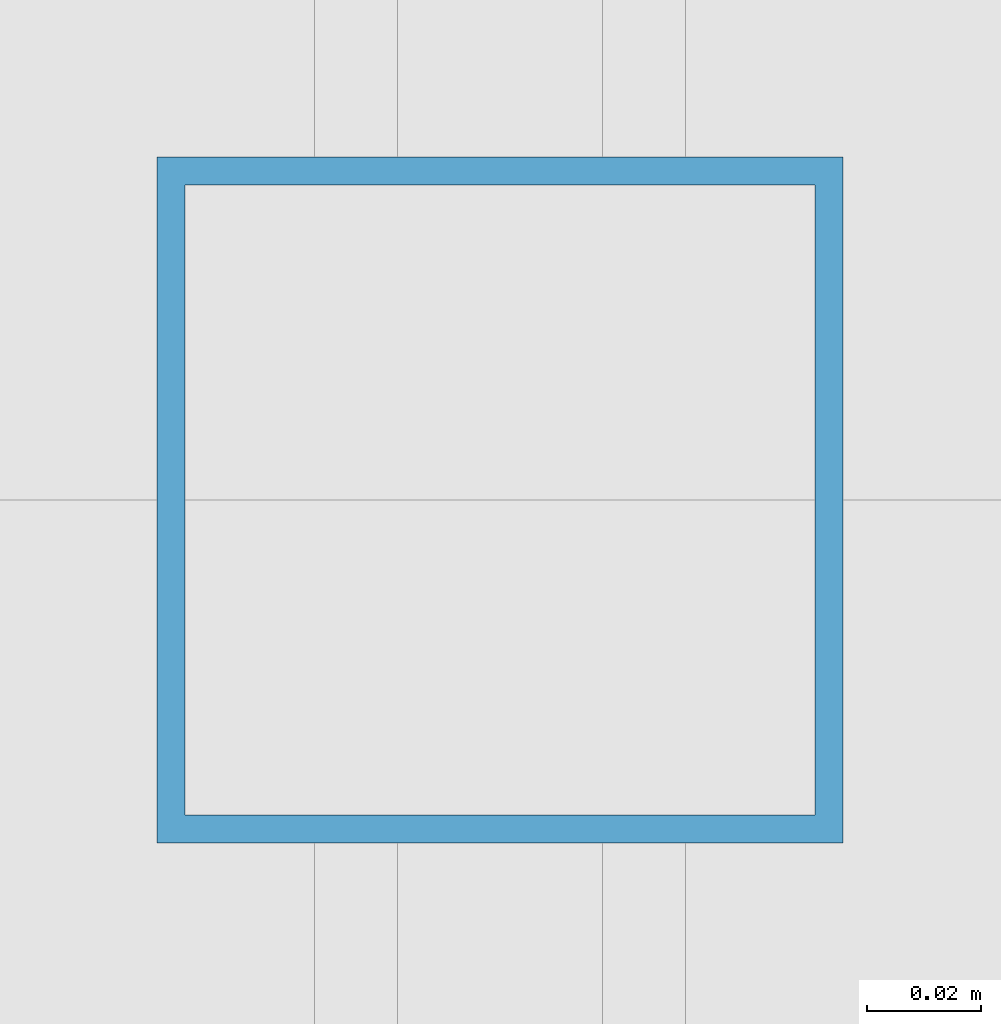
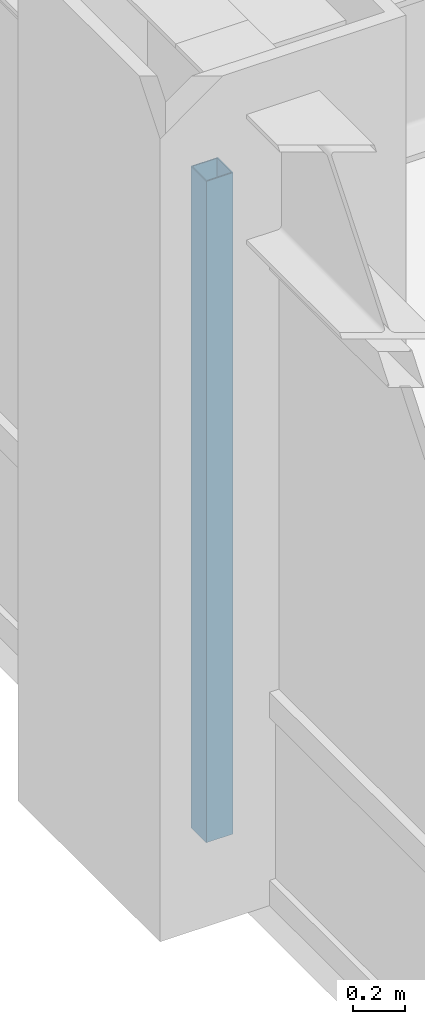
# One storey, part 6 of 24: 1 member, 1 element without a shape of its own.
"""IFC4 building model written with IfcOpenShell, lengths in metres."""

from ifc_helpers import new_model, si_unit, direction, frame, origin, origin_2d, place, context, subcontext, project, spatial, hollow_rectangle, extrude, source, transform, mapped, material, material_profile, profile_set, type_object, element, aggregate, save


model = new_model("IFC4")

# Units and contexts
model_context = context("Model", 3, precision=1e-05, world=origin(), true_north=direction((0.0, 1.0)))
body_context = subcontext(model_context, "Body", "Model", "MODEL_VIEW")
ifc_project = project(units=[si_unit("LENGTHUNIT", "METRE"), si_unit("AREAUNIT", "SQUARE_METRE"), si_unit("VOLUMEUNIT", "CUBIC_METRE"), si_unit("PLANEANGLEUNIT", "RADIAN"), si_unit("MASSUNIT", "GRAM", prefix="KILO")], contexts=[model_context])

# Site, building, storey
site_placement = place(None, origin())
site = spatial("IfcSite", under=ifc_project, at=site_placement, CompositionType="ELEMENT")
building_placement = place(site_placement, origin())
building = spatial("IfcBuilding", under=site, at=building_placement, Name="Khorayat Bourse Tower", CompositionType="ELEMENT")
storey_placement = place(building_placement, frame((0.0, 0.0, 159.10009765625)))
storey = spatial("IfcBuildingStorey", under=building, at=storey_placement, Name="L36", CompositionType="ELEMENT", Elevation=159.10009765625)

# Curtain wall, member
ifc_material = material(Name="Aluminium EN AW-6063 T6", Category="aluminium")
curtain_wall_type = type_object("IfcCurtainWallType", Name="CW-SYS-03", PredefinedType="NOTDEFINED", material=ifc_material)
curtain_wall_placement = place(storey_placement, origin())
curtain_wall = element("IfcCurtainWall", 1, at=curtain_wall_placement, inside=storey, type_object=curtain_wall_type, Name="L36 Curtain Wall CW-L36-W1", PredefinedType="NOTDEFINED")
ifc_material_profile = material_profile(ifc_material, hollow_rectangle(XDim=0.1201171875, YDim=0.1201171875, WallThickness=0.0048828125, at=origin_2d()), Name="ALU 120x120x5")
ifc_profile_set = profile_set([ifc_material_profile], Name="Aluminium EN AW-6063 T6")
member_type = type_object("IfcMemberType", Name="CWM-VERT-120", PredefinedType="MULLION", material=ifc_profile_set)
shared_shape = source(origin(), body_context, "Body", "SweptSolid", [
    extrude(hollow_rectangle(XDim=0.1201171875, YDim=0.1201171875, WallThickness=0.0048828125, at=origin_2d()), origin(), (0.0, 0.0, 1.0), 3.1298828125),
])
member_placement = place(storey_placement, frame((-30.0, 0.0, 0.0), z_axis=(0.0, 0.0, 1.0), x_axis=(-1.0, 0.0, 0.0)))
member = element("IfcMember", 2, at=member_placement, type_object=member_type, Name="CW-L36-W1 Vertical Mullion 2", PredefinedType="MULLION", context=body_context, shape_type="MappedRepresentation", body=[
    mapped(shared_shape, transform((0.0, 0.0, 0.0), scale=1.0)),
])
aggregate(curtain_wall, [member])

save(model, "model.ifc")
